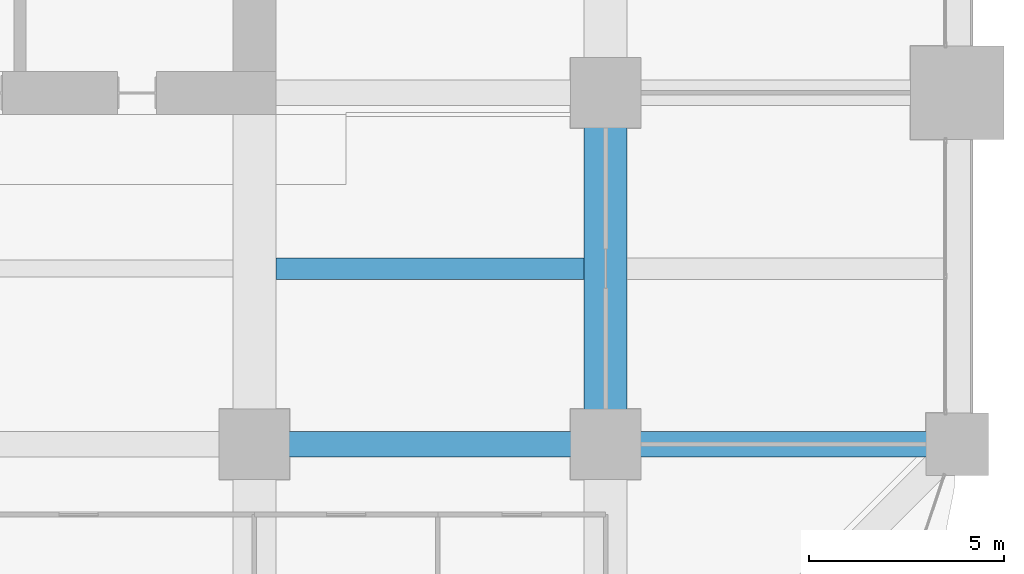
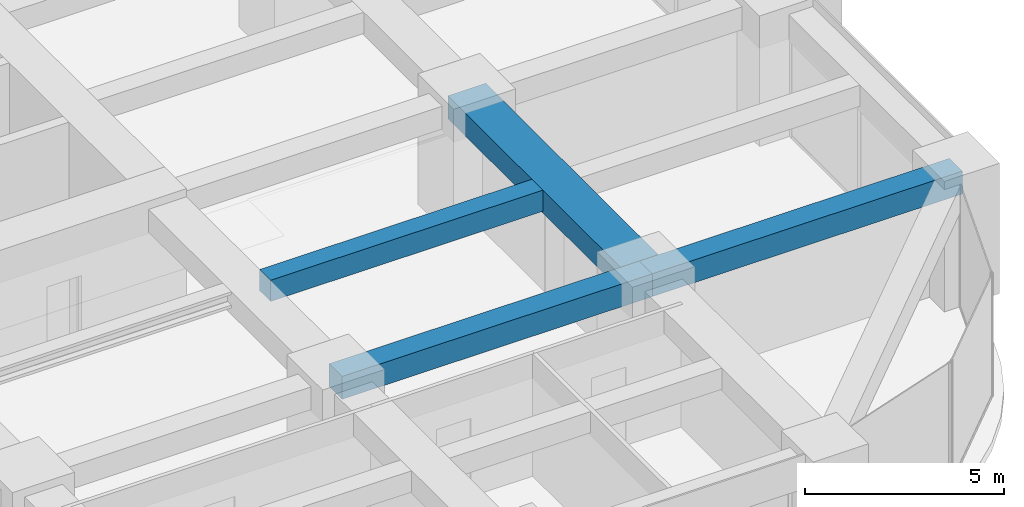
# One storey, part 18 of 41: 4 beams.
"""IFC4 building model written with IfcOpenShell, lengths in metres."""

from ifc_helpers import new_model, si_unit, direction, frame, origin, origin_2d, place, context, subcontext, project, spatial, rectangle, extrude, material, material_profile, profile_set, type_object, element, save


model = new_model("IFC4")

# Units and contexts
model_context = context("Model", 3, precision=1e-05, world=origin(), true_north=direction((0.0, 1.0)))
body_context = subcontext(model_context, "Body", "Model", "MODEL_VIEW")
ifc_project = project(units=[si_unit("LENGTHUNIT", "METRE"), si_unit("AREAUNIT", "SQUARE_METRE"), si_unit("VOLUMEUNIT", "CUBIC_METRE"), si_unit("PLANEANGLEUNIT", "RADIAN"), si_unit("MASSUNIT", "GRAM", prefix="KILO")], contexts=[model_context])

# Site, building, storey
site_placement = place(None, origin())
site = spatial("IfcSite", under=ifc_project, at=site_placement, CompositionType="ELEMENT")
building_placement = place(site_placement, origin())
building = spatial("IfcBuilding", under=site, at=building_placement, Name="Zorevar Civic Tower", CompositionType="ELEMENT")
storey_placement = place(building_placement, frame((0.0, 0.0, 137.0)))
storey = spatial("IfcBuildingStorey", under=building, at=storey_placement, Name="L33", CompositionType="ELEMENT", Elevation=137.0)

# Beams
ifc_material_1 = material(Name="Concrete C50/60", Category="concrete")
ifc_material_profile_1 = material_profile(ifc_material_1, rectangle(XDim=1.10009765625, YDim=0.699951171875, at=origin_2d()), Name="RC 1100x700")
ifc_profile_set_1 = profile_set([ifc_material_profile_1], Name="Concrete C50/60")
beam_type_1 = type_object("IfcBeamType", Name="Beam RC 1100x700", PredefinedType="BEAM", material=ifc_profile_set_1)
beam_1_placement = place(storey_placement, frame((54.0, 9.0, 3.39990234375), z_axis=(0.0, 1.0, 0.0), x_axis=(-1.0, 0.0, 0.0)))
element("IfcBeam", 1, at=beam_1_placement, inside=storey, type_object=beam_type_1, Name="Girder L34", PredefinedType="BEAM", context=body_context, shape_type="SweptSolid", body=[
    extrude(rectangle(XDim=1.10009765625, YDim=0.699951171875, at=origin_2d()), origin(), (0.0, 0.0, 1.0), 9.0),
])
ifc_material_2 = material(Name="Concrete C50/60", Category="concrete")
ifc_material_profile_2 = material_profile(ifc_material_2, rectangle(XDim=0.550048828125, YDim=0.64990234375, at=origin_2d()), Name="RC 550x650")
ifc_profile_set_2 = profile_set([ifc_material_profile_2], Name="Concrete C50/60")
beam_type_2 = type_object("IfcBeamType", Name="Beam RC 550x650", PredefinedType="BEAM", material=ifc_profile_set_2)
beam_2_placement = place(storey_placement, frame((45.550048828125, 13.5, 3.425048828125), z_axis=(1.0, 0.0, 0.0), x_axis=(0.0, 1.0, 0.0)))
element("IfcBeam", 2, at=beam_2_placement, inside=storey, type_object=beam_type_2, Name="Secondary beam L34", PredefinedType="BEAM", context=body_context, shape_type="SweptSolid", body=[
    extrude(rectangle(XDim=0.550048828125, YDim=0.64990234375, at=origin_2d()), origin(), (0.0, 0.0, 1.0), 7.89990234375),
])
ifc_material_3 = material(Name="Concrete C50/60", Category="concrete")
ifc_material_profile_3 = material_profile(ifc_material_3, rectangle(XDim=0.64990234375, YDim=0.699951171875, at=origin_2d()), Name="RC 650x700")
ifc_profile_set_3 = profile_set([ifc_material_profile_3], Name="Concrete C50/60")
beam_type_3 = type_object("IfcBeamType", Name="Beam RC 650x700", PredefinedType="BEAM", material=ifc_profile_set_3)
for number, where, z_axis, x_axis, name in (
    (3, (45.0, 9.0, 3.39990234375), (1.0, 0.0, 0.0), (0.0, 1.0, 0.0), "Girder L34"),
    (4, (54.0, 9.0, 3.39990234375), (1.0, 0.0, 0.0), (0.0, 1.0, 0.0), "Girder L34"),
):
    element("IfcBeam", number, at=place(storey_placement, frame(where, z_axis=z_axis, x_axis=x_axis)), inside=storey, type_object=beam_type_3, Name=name, PredefinedType="BEAM", context=body_context, shape_type="SweptSolid", body=[
        extrude(rectangle(XDim=0.64990234375, YDim=0.699951171875, at=origin_2d()), origin(), (0.0, 0.0, 1.0), 9.0),
    ])

save(model, "model.ifc")
